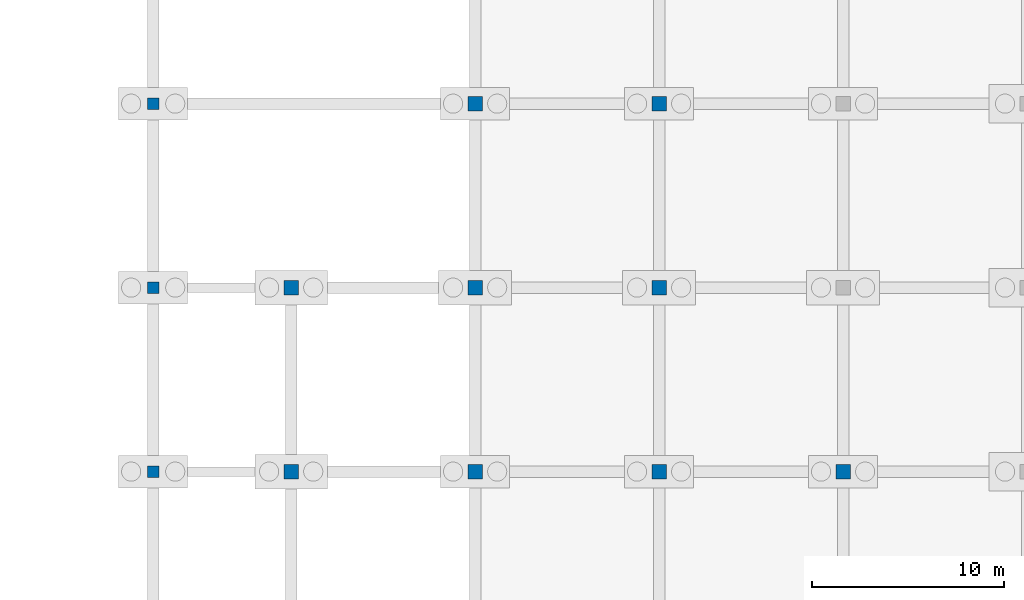
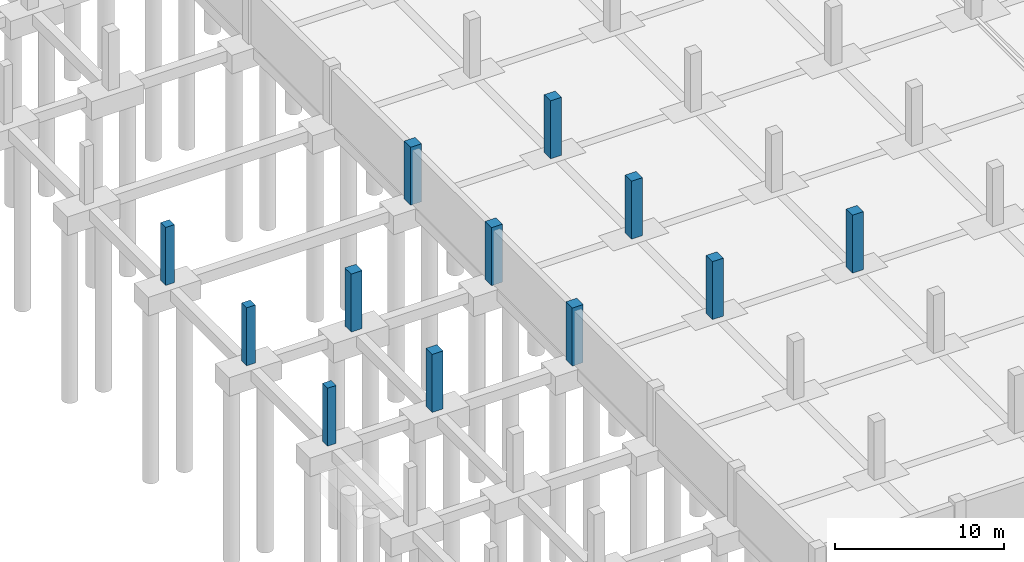
# One storey, part 14 of 54: 12 columns.
"""IFC4 building model written with IfcOpenShell, lengths in metres."""

from ifc_helpers import new_model, si_unit, direction, frame, origin, origin_2d, place, context, subcontext, project, spatial, rectangle, extrude, material, material_profile, profile_set, type_object, element, save


model = new_model("IFC4")

# Units and contexts
model_context = context("Model", 3, precision=1e-05, world=origin(), true_north=direction((0.0, 1.0)))
body_context = subcontext(model_context, "Body", "Model", "MODEL_VIEW")
ifc_project = project(units=[si_unit("LENGTHUNIT", "METRE"), si_unit("AREAUNIT", "SQUARE_METRE"), si_unit("VOLUMEUNIT", "CUBIC_METRE"), si_unit("PLANEANGLEUNIT", "RADIAN"), si_unit("MASSUNIT", "GRAM", prefix="KILO")], contexts=[model_context])

# Site, building, storey
site_placement = place(None, origin())
site = spatial("IfcSite", under=ifc_project, at=site_placement, CompositionType="ELEMENT")
building_placement = place(site_placement, origin())
building = spatial("IfcBuilding", under=site, at=building_placement, Name="Zevrakil Square Congress Hotel", CompositionType="ELEMENT")
storey_placement = place(building_placement, frame((0.0, 0.0, -8.39990234375)))
storey = spatial("IfcBuildingStorey", under=building, at=storey_placement, Name="B2", CompositionType="ELEMENT", Elevation=-8.39990234375)

# Columns
ifc_material_1 = material(Name="Concrete C40/50", Category="concrete")
ifc_material_profile_1 = material_profile(ifc_material_1, rectangle(XDim=0.60009765625, YDim=0.60009765625, at=origin_2d()), Name="RC 600x600")
ifc_profile_set_1 = profile_set([ifc_material_profile_1], Name="Concrete C40/50")
column_type_1 = type_object("IfcColumnType", Name="COL-RC600", PredefinedType="COLUMN", material=ifc_profile_set_1)
for number, where, z_axis, x_axis, name in (
    (1, (0.0, 36.0, 0.0), (0.0, 0.0, 1.0), (1.0, 0.0, 0.0), "B2 column C-005"),
    (2, (0.0, 45.60009765625, 0.0), (0.0, 0.0, 1.0), (1.0, 0.0, 0.0), "B2 column C-006"),
    (3, (0.0, 55.199951171875, 0.0), (0.0, 0.0, 1.0), (1.0, 0.0, 0.0), "B2 column C-007"),
):
    element("IfcColumn", number, at=place(storey_placement, frame(where, z_axis=z_axis, x_axis=x_axis)), inside=storey, type_object=column_type_1, Name=name, PredefinedType="COLUMN", context=body_context, shape_type="SweptSolid", body=[
        extrude(rectangle(XDim=0.60009765625, YDim=0.60009765625, at=origin_2d()), origin(), (0.0, 0.0, 1.0), 4.199951171875),
    ])
ifc_material_2 = material(Name="Concrete C40/50", Category="concrete")
ifc_material_profile_2 = material_profile(ifc_material_2, rectangle(XDim=0.75, YDim=0.75, at=origin_2d()), Name="RC 750x750")
ifc_profile_set_2 = profile_set([ifc_material_profile_2], Name="Concrete C40/50")
column_type_2 = type_object("IfcColumnType", Name="COL-RC750", PredefinedType="COLUMN", material=ifc_profile_set_2)
for number, where, z_axis, x_axis, name in (
    (4, (7.199951171875, 36.0, 0.0), (0.0, 0.0, 1.0), (1.0, 0.0, 0.0), "B2 column C-018"),
    (5, (7.199951171875, 45.60009765625, 0.0), (0.0, 0.0, 1.0), (1.0, 0.0, 0.0), "B2 column C-019"),
    (6, (16.800048828125, 36.0, 0.0), (0.0, 0.0, 1.0), (1.0, 0.0, 0.0), "B2 column C-030"),
    (7, (16.800048828125, 45.60009765625, 0.0), (0.0, 0.0, 1.0), (1.0, 0.0, 0.0), "B2 column C-031"),
    (8, (16.800048828125, 55.199951171875, 0.0), (0.0, 0.0, 1.0), (1.0, 0.0, 0.0), "B2 column C-032"),
    (9, (26.39990234375, 36.0, 0.0), (0.0, 0.0, 1.0), (1.0, 0.0, 0.0), "B2 column C-044"),
    (10, (26.39990234375, 45.60009765625, 0.0), (0.0, 0.0, 1.0), (1.0, 0.0, 0.0), "B2 column C-045"),
    (11, (26.39990234375, 55.199951171875, 0.0), (0.0, 0.0, 1.0), (1.0, 0.0, 0.0), "B2 column C-046"),
    (12, (36.0, 36.0, 0.0), (0.0, 0.0, 1.0), (1.0, 0.0, 0.0), "B2 column C-057"),
):
    element("IfcColumn", number, at=place(storey_placement, frame(where, z_axis=z_axis, x_axis=x_axis)), inside=storey, type_object=column_type_2, Name=name, PredefinedType="COLUMN", context=body_context, shape_type="SweptSolid", body=[
        extrude(rectangle(XDim=0.75, YDim=0.75, at=origin_2d()), origin(), (0.0, 0.0, 1.0), 4.199951171875),
    ])

save(model, "model.ifc")
